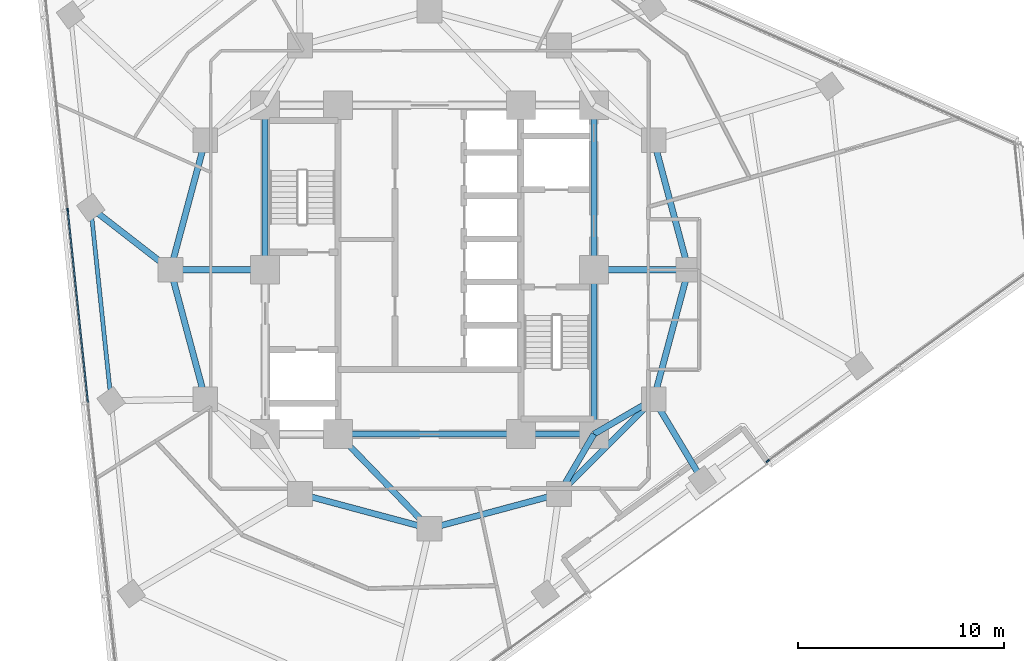
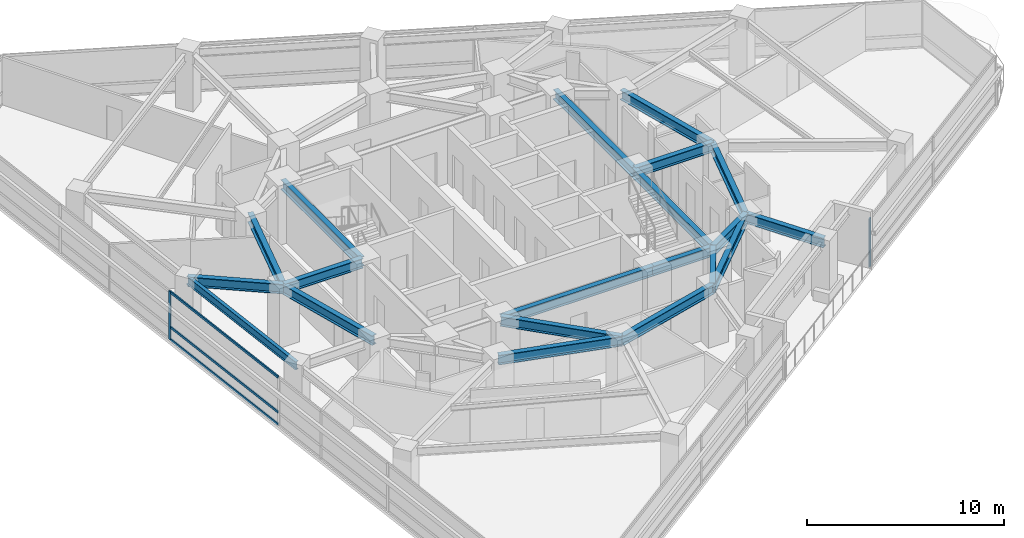
# One storey, part 3 of 14: 20 beams, 5 members, 2 elements without a shape of their own.
"""IFC4 building model written with IfcOpenShell, lengths in metres."""

from ifc_helpers import new_model, si_unit, direction, frame, origin, origin_2d, place, context, subcontext, project, spatial, rectangle, i_section, extrude, material, layer, layer_set, material_profile, profile_set, type_object, element, aggregate, save


model = new_model("IFC4")

# Units and contexts
model_context = context("Model", 3, precision=1e-05, world=origin(), true_north=direction((0.0, 1.0)))
body_context = subcontext(model_context, "Body", "Model", "MODEL_VIEW")
ifc_project = project(units=[si_unit("LENGTHUNIT", "METRE"), si_unit("AREAUNIT", "SQUARE_METRE"), si_unit("VOLUMEUNIT", "CUBIC_METRE"), si_unit("PLANEANGLEUNIT", "RADIAN"), si_unit("MASSUNIT", "GRAM", prefix="KILO")], contexts=[model_context])

# Site, building, storey
site_placement = place(None, origin())
site = spatial("IfcSite", under=ifc_project, at=site_placement, CompositionType="ELEMENT")
building_placement = place(site_placement, origin())
building = spatial("IfcBuilding", under=site, at=building_placement, Name="Terralouvre Media Tower", CompositionType="ELEMENT")
storey_placement = place(building_placement, frame((0.0, 0.0, 158.300048828125)))
storey = spatial("IfcBuildingStorey", under=building, at=storey_placement, Name="L40", CompositionType="ELEMENT", Elevation=158.300048828125)

# Curtain wall, members
ifc_material_1 = material(Name="Low-iron laminated double glazing with solar-control coating", Category="glass")
ifc_layer = layer(ifc_material_1, 0.1650390625, Name="Production Studio Tower Curtain Wall CW-03")
ifc_layer_set = layer_set([ifc_layer], Name="Low-iron laminated double glazing with solar-control coating")
curtain_wall_type = type_object("IfcCurtainWallType", Name="Production Studio Tower Curtain Wall CW-03", PredefinedType="NOTDEFINED", material=ifc_layer_set)
curtain_wall_1_placement = place(storey_placement, origin())
curtain_wall_1 = element("IfcCurtainWall", 1, at=curtain_wall_1_placement, inside=storey, type_object=curtain_wall_type, Name="L40 Facade Curtain Wall F2", PredefinedType="NOTDEFINED")
ifc_material_2 = material(Name="Anodised extruded aluminium 6063-T6", Category="aluminium")
ifc_material_profile_1 = material_profile(ifc_material_2, rectangle(XDim=0.074951171875, YDim=0.14990234375, at=origin_2d()), Name="ALU 75x150")
ifc_profile_set_1 = profile_set([ifc_material_profile_1], Name="Anodised extruded aluminium 6063-T6")
member_type_1 = type_object("IfcMemberType", Name="Curtain-Wall Horizontal Transom TR-150", PredefinedType="USERDEFINED", material=ifc_profile_set_1)
member_1_placement = place(storey_placement, frame((-17.6005859375, 2.8583984375, 0.037353515625), z_axis=(0.104512438861, -0.994523579471, 0.0), x_axis=(0.994523579471, 0.104512438861, 0.0)))
member_1 = element("IfcMember", 2, at=member_1_placement, type_object=member_type_1, Name="CW-03 transom 3.1", ObjectType="TRANSOM", PredefinedType="USERDEFINED", context=body_context, shape_type="SweptSolid", body=[
    extrude(rectangle(XDim=0.074951171875, YDim=0.14990234375, at=origin_2d()), origin(), (0.0, 0.0, 1.0), 9.364990234375),
])
member_2_placement = place(storey_placement, frame((-17.6005859375, 2.8583984375, 0.800048828125), z_axis=(0.104512438861, -0.994523579471, 0.0), x_axis=(0.994523579471, 0.104512438861, 0.0)))
member_2 = element("IfcMember", 3, at=member_2_placement, type_object=member_type_1, Name="CW-03 transom 3.2", ObjectType="TRANSOM", PredefinedType="USERDEFINED", context=body_context, shape_type="SweptSolid", body=[
    extrude(rectangle(XDim=0.074951171875, YDim=0.14990234375, at=origin_2d()), origin(), (0.0, 0.0, 1.0), 9.364990234375),
])
member_3_placement = place(storey_placement, frame((-17.6005859375, 2.8583984375, 2.96240234375), z_axis=(0.104512438861, -0.994523579471, 0.0), x_axis=(0.994523579471, 0.104512438861, 0.0)))
member_3 = element("IfcMember", 4, at=member_3_placement, type_object=member_type_1, Name="CW-03 transom 3.3", ObjectType="TRANSOM", PredefinedType="USERDEFINED", context=body_context, shape_type="SweptSolid", body=[
    extrude(rectangle(XDim=0.074951171875, YDim=0.14990234375, at=origin_2d()), origin(), (0.0, 0.0, 1.0), 9.364990234375),
])

# Curtain wall, member
curtain_wall_2_placement = place(storey_placement, origin())
curtain_wall_2 = element("IfcCurtainWall", 5, at=curtain_wall_2_placement, inside=storey, type_object=curtain_wall_type, Name="L40 Right Flank Curtain Wall F0", PredefinedType="NOTDEFINED")
ifc_material_3 = material(Name="Anodised extruded aluminium 6063-T6", Category="aluminium")
ifc_material_profile_2 = material_profile(ifc_material_3, rectangle(XDim=0.074951171875, YDim=0.179931640625, at=origin_2d()), Name="ALU 75x180")
ifc_profile_set_2 = profile_set([ifc_material_profile_2], Name="Anodised extruded aluminium 6063-T6")
member_type_2 = type_object("IfcMemberType", Name="Curtain-Wall Vertical Mullion ML-180", PredefinedType="MULLION", material=ifc_profile_set_2)
member_4_placement = place(storey_placement, frame((16.453857421875, -9.312744140625, 0.0), z_axis=(0.0, 0.0, 1.0), x_axis=(-0.587785746577, 0.809016635256, 0.0)))
member_4 = element("IfcMember", 6, at=member_4_placement, type_object=member_type_2, Name="CW-03 mullion 1", PredefinedType="MULLION", context=body_context, shape_type="SweptSolid", body=[
    extrude(rectangle(XDim=0.074951171875, YDim=0.179931640625, at=origin_2d()), origin(), (0.0, 0.0, 1.0), 3.0),
])
aggregate(curtain_wall_2, [member_4])

# Member
member_5_placement = place(storey_placement, frame((-17.6044921875, 2.895751953125, 0.0), z_axis=(0.0, 0.0, 1.0), x_axis=(0.994521904516, 0.104528376236, 0.0)))
member_5 = element("IfcMember", 7, at=member_5_placement, type_object=member_type_2, Name="CW-03 mullion 3", PredefinedType="MULLION", context=body_context, shape_type="SweptSolid", body=[
    extrude(rectangle(XDim=0.074951171875, YDim=0.179931640625, at=origin_2d()), origin(), (0.0, 0.0, 1.0), 3.0),
])

aggregate(curtain_wall_1, [member_5, member_1, member_2, member_3])

# Beams
ifc_material_4 = material(Name="Structural steel S355J2", Category="steel")
ifc_material_profile_3 = material_profile(ifc_material_4, i_section(OverallWidth=0.199951171875, OverallDepth=0.5, WebThickness=0.01025390625, FlangeThickness=0.01611328125, at=origin_2d()), Name="IPE 500")
ifc_profile_set_3 = profile_set([ifc_material_profile_3], Name="Structural steel S355J2")
beam_type_1 = type_object("IfcBeamType", Name="Perimeter Spandrel Beam SPB-500 (IPE 500)", PredefinedType="SPANDREL", material=ifc_profile_set_3)
beam_1_placement = place(storey_placement, frame((-16.480712890625, 3.013916015625, 3.25), z_axis=(0.104508425148, -0.994524001255, 0.0), x_axis=(0.994524001255, 0.104508425148, 0.0)))
element("IfcBeam", 8, at=beam_1_placement, inside=storey, type_object=beam_type_1, Name="L40 Framing Beam BM-L40-PR12", PredefinedType="SPANDREL", context=body_context, shape_type="SweptSolid", body=[
    extrude(i_section(OverallWidth=0.199951171875, OverallDepth=0.5, WebThickness=0.01025390625, FlangeThickness=0.01611328125, at=origin_2d()), origin(), (0.0, 0.0, 1.0), 9.440185546875),
])
ifc_material_5 = material(Name="Structural steel S460M", Category="steel")
ifc_material_profile_4 = material_profile(ifc_material_5, i_section(OverallWidth=0.300048828125, OverallDepth=0.60009765625, WebThickness=0.015380859375, FlangeThickness=0.030029296875, at=origin_2d()), Name="HEB 600")
ifc_profile_set_4 = profile_set([ifc_material_profile_4], Name="Structural steel S460M")
beam_type_2 = type_object("IfcBeamType", Name="Primary Floor Girder B-HEB600 (HEB 600)", PredefinedType="BEAM", material=ifc_profile_set_4)
beam_2_placement = place(storey_placement, frame((-4.449951171875, -8.0, 3.199951171875), z_axis=(1.0, 0.0, 0.0), x_axis=(0.0, 1.0, 0.0)))
element("IfcBeam", 9, at=beam_2_placement, inside=storey, type_object=beam_type_2, Name="L40 Framing Beam BM-L40-CPR02", PredefinedType="BEAM", context=body_context, shape_type="SweptSolid", body=[
    extrude(i_section(OverallWidth=0.300048828125, OverallDepth=0.60009765625, WebThickness=0.015380859375, FlangeThickness=0.030029296875, at=origin_2d()), origin(), (0.0, 0.0, 1.0), 8.89990234375),
])
beam_3_placement = place(storey_placement, frame((4.449951171875, -8.0, 3.199951171875), z_axis=(1.0, 0.0, 0.0), x_axis=(0.0, 1.0, 0.0)))
element("IfcBeam", 10, at=beam_3_placement, inside=storey, type_object=beam_type_2, Name="L40 Framing Beam BM-L40-CPR03", PredefinedType="BEAM", context=body_context, shape_type="SweptSolid", body=[
    extrude(i_section(OverallWidth=0.300048828125, OverallDepth=0.60009765625, WebThickness=0.015380859375, FlangeThickness=0.030029296875, at=origin_2d()), origin(), (0.0, 0.0, 1.0), 3.550048828125),
])
for number, where, z_axis, x_axis, name in (
    (11, (8.0, -8.0, 3.199951171875), (0.0, 1.0, 0.0), (-1.0, 0.0, 0.0), "L40 Framing Beam BM-L40-CPR04"),
    (12, (8.0, 0.0, 3.199951171875), (0.0, 1.0, 0.0), (-1.0, 0.0, 0.0), "L40 Framing Beam BM-L40-CPR05"),
    (13, (-8.0, 8.0, 3.199951171875), (0.0, -1.0, 0.0), (1.0, 0.0, 0.0), "L40 Framing Beam BM-L40-CPR09"),
):
    element("IfcBeam", number, at=place(storey_placement, frame(where, z_axis=z_axis, x_axis=x_axis)), inside=storey, type_object=beam_type_2, Name=name, PredefinedType="BEAM", context=body_context, shape_type="SweptSolid", body=[
        extrude(i_section(OverallWidth=0.300048828125, OverallDepth=0.60009765625, WebThickness=0.015380859375, FlangeThickness=0.030029296875, at=origin_2d()), origin(), (0.0, 0.0, 1.0), 8.0),
    ])
for number, where, z_axis, x_axis, name in (
    (14, (-6.300048828125, -10.911865234375, 3.199951171875), (0.965920481897, -0.258838989821, 0.0), (0.258838989821, 0.965920481897, 0.0), "L40 Framing Beam BM-L40-MR02"),
    (15, (0.0, -12.60009765625, 3.199951171875), (0.965920481897, 0.258838989821, 0.0), (-0.258838989821, 0.965920481897, 0.0), "L40 Framing Beam BM-L40-MR03"),
):
    element("IfcBeam", number, at=place(storey_placement, frame(where, z_axis=z_axis, x_axis=x_axis)), inside=storey, type_object=beam_type_2, Name=name, PredefinedType="BEAM", context=body_context, shape_type="SweptSolid", body=[
        extrude(i_section(OverallWidth=0.300048828125, OverallDepth=0.60009765625, WebThickness=0.015380859375, FlangeThickness=0.030029296875, at=origin_2d()), origin(), (0.0, 0.0, 1.0), 6.522216796875),
    ])
beam_4_placement = place(storey_placement, frame((6.300048828125, -10.911865234375, 3.199951171875), z_axis=(0.707106781187, 0.707106781187, 0.0), x_axis=(-0.707106781187, 0.707106781187, 0.0)))
element("IfcBeam", 16, at=beam_4_placement, inside=storey, type_object=beam_type_2, Name="L40 Framing Beam BM-L40-MR04", PredefinedType="BEAM", context=body_context, shape_type="SweptSolid", body=[
    extrude(i_section(OverallWidth=0.300048828125, OverallDepth=0.60009765625, WebThickness=0.015380859375, FlangeThickness=0.030029296875, at=origin_2d()), origin(), (0.0, 0.0, 1.0), 6.52197265625),
])
for number, where, z_axis, x_axis, name in (
    (17, (10.911865234375, -6.300048828125, 3.199951171875), (0.258838989821, 0.965920481897, 0.0), (-0.965920481897, 0.258838989821, 0.0), "L40 Framing Beam BM-L40-MR05"),
    (18, (12.60009765625, 0.0, 3.199951171875), (-0.258838989821, 0.965920481897, 0.0), (-0.965920481897, -0.258838989821, 0.0), "L40 Framing Beam BM-L40-MR06"),
    (19, (-10.911865234375, 6.300048828125, 3.199951171875), (-0.258838989821, -0.965920481897, 0.0), (0.965920481897, -0.258838989821, 0.0), "L40 Framing Beam BM-L40-MR11"),
    (20, (-12.60009765625, 0.0, 3.199951171875), (0.258838989821, -0.965920481897, 0.0), (0.965920481897, 0.258838989821, 0.0), "L40 Framing Beam BM-L40-MR12"),
):
    element("IfcBeam", number, at=place(storey_placement, frame(where, z_axis=z_axis, x_axis=x_axis)), inside=storey, type_object=beam_type_2, Name=name, PredefinedType="BEAM", context=body_context, shape_type="SweptSolid", body=[
        extrude(i_section(OverallWidth=0.300048828125, OverallDepth=0.60009765625, WebThickness=0.015380859375, FlangeThickness=0.030029296875, at=origin_2d()), origin(), (0.0, 0.0, 1.0), 6.522216796875),
    ])
beam_5_placement = place(storey_placement, frame((-4.449951171875, -8.0, 3.199951171875), z_axis=(0.695279715726, -0.718739255155, 0.0), x_axis=(0.718739255155, 0.695279715726, 0.0)))
element("IfcBeam", 21, at=beam_5_placement, inside=storey, type_object=beam_type_2, Name="L40 Framing Beam BM-L40-CM03", PredefinedType="BEAM", context=body_context, shape_type="SweptSolid", body=[
    extrude(i_section(OverallWidth=0.300048828125, OverallDepth=0.60009765625, WebThickness=0.015380859375, FlangeThickness=0.030029296875, at=origin_2d()), origin(), (0.0, 0.0, 1.0), 6.400146484375),
])
for number, where, z_axis, x_axis, name in (
    (22, (8.0, -8.0, 3.199951171875), (-0.504172629717, -0.863602894532, 0.0), (0.863602894532, -0.504172629717, 0.0), "L40 Framing Beam BM-L40-CM04"),
    (23, (8.0, -8.0, 3.199951171875), (0.863602894532, 0.504172629717, 0.0), (-0.504172629717, 0.863602894532, 0.0), "L40 Framing Beam BM-L40-CM05"),
):
    element("IfcBeam", number, at=place(storey_placement, frame(where, z_axis=z_axis, x_axis=x_axis)), inside=storey, type_object=beam_type_2, Name=name, PredefinedType="BEAM", context=body_context, shape_type="SweptSolid", body=[
        extrude(i_section(OverallWidth=0.300048828125, OverallDepth=0.60009765625, WebThickness=0.015380859375, FlangeThickness=0.030029296875, at=origin_2d()), origin(), (0.0, 0.0, 1.0), 3.371826171875),
    ])
for number, where, z_axis, x_axis, name in (
    (24, (8.0, 0.0, 3.199951171875), (1.0, 0.0, 0.0), (0.0, 1.0, 0.0), "L40 Framing Beam BM-L40-CM06"),
    (25, (-8.0, 0.0, 3.199951171875), (-1.0, 0.0, 0.0), (0.0, -1.0, 0.0), "L40 Framing Beam BM-L40-CM12"),
):
    element("IfcBeam", number, at=place(storey_placement, frame(where, z_axis=z_axis, x_axis=x_axis)), inside=storey, type_object=beam_type_2, Name=name, PredefinedType="BEAM", context=body_context, shape_type="SweptSolid", body=[
        extrude(i_section(OverallWidth=0.300048828125, OverallDepth=0.60009765625, WebThickness=0.015380859375, FlangeThickness=0.030029296875, at=origin_2d()), origin(), (0.0, 0.0, 1.0), 4.60009765625),
    ])
beam_6_placement = place(storey_placement, frame((10.911865234375, -6.300048828125, 3.199951171875), z_axis=(0.514041286901, -0.857765443091, 0.0), x_axis=(0.857765443091, 0.514041286901, 0.0)))
element("IfcBeam", 26, at=beam_6_placement, inside=storey, type_object=beam_type_2, Name="L40 Framing Beam BM-L40-RD05", PredefinedType="BEAM", context=body_context, shape_type="SweptSolid", body=[
    extrude(i_section(OverallWidth=0.300048828125, OverallDepth=0.60009765625, WebThickness=0.015380859375, FlangeThickness=0.030029296875, at=origin_2d()), origin(), (0.0, 0.0, 1.0), 4.582763671875),
])
beam_7_placement = place(storey_placement, frame((-12.60009765625, 0.0, 3.199951171875), z_axis=(-0.78978010095, 0.613390081549, 0.0), x_axis=(-0.613390081549, -0.78978010095, 0.0)))
element("IfcBeam", 27, at=beam_7_placement, inside=storey, type_object=beam_type_2, Name="L40 Framing Beam BM-L40-RD12", PredefinedType="BEAM", context=body_context, shape_type="SweptSolid", body=[
    extrude(i_section(OverallWidth=0.300048828125, OverallDepth=0.60009765625, WebThickness=0.015380859375, FlangeThickness=0.030029296875, at=origin_2d()), origin(), (0.0, 0.0, 1.0), 4.91357421875),
])

save(model, "model.ifc")
